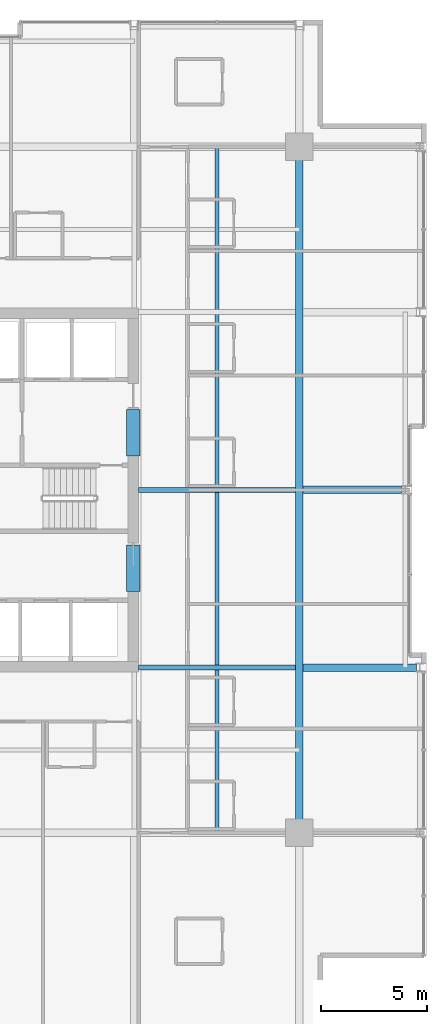
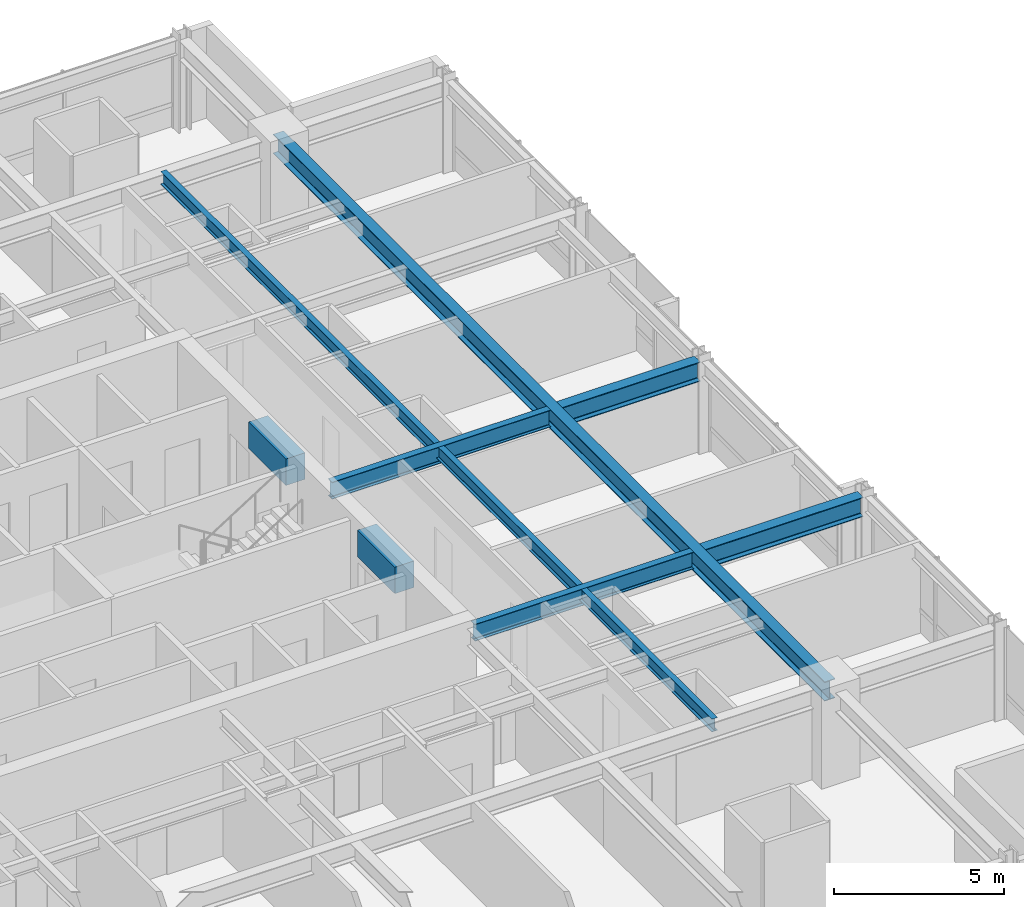
# One storey, part 14 of 32: 8 beams.
"""IFC4 building model written with IfcOpenShell, lengths in metres."""

from ifc_helpers import new_model, si_unit, direction, frame, origin, origin_2d, place, context, subcontext, project, spatial, rectangle, i_section, extrude, material, material_profile, profile_set, type_object, element, save


model = new_model("IFC4")

# Units and contexts
model_context = context("Model", 3, precision=1e-05, world=origin(), true_north=direction((0.0, 1.0)))
body_context = subcontext(model_context, "Body", "Model", "MODEL_VIEW")
ifc_project = project(units=[si_unit("LENGTHUNIT", "METRE"), si_unit("AREAUNIT", "SQUARE_METRE"), si_unit("VOLUMEUNIT", "CUBIC_METRE"), si_unit("PLANEANGLEUNIT", "RADIAN"), si_unit("MASSUNIT", "GRAM", prefix="KILO")], contexts=[model_context])

# Site, building, storey
site_placement = place(None, origin())
site = spatial("IfcSite", under=ifc_project, at=site_placement, CompositionType="ELEMENT")
building_placement = place(site_placement, origin())
building = spatial("IfcBuilding", under=site, at=building_placement, Name="Drelvath Grand Hotel", CompositionType="ELEMENT")
storey_placement = place(building_placement, frame((0.0, 0.0, 150.39990234375)))
storey = spatial("IfcBuildingStorey", under=building, at=storey_placement, Name="L38", CompositionType="ELEMENT", Elevation=150.39990234375)

# Beams
ifc_material_1 = material(Name="Steel ASTM A992 Gr 50", Category="steel")
ifc_material_profile_1 = material_profile(ifc_material_1, i_section(OverallWidth=0.19140625, OverallDepth=0.4599609375, WebThickness=0.010009765625, FlangeThickness=0.01611328125, FilletRadius=0.01611328125, at=origin_2d()), Name="W18X55")
ifc_profile_set_1 = profile_set([ifc_material_profile_1], Name="Steel ASTM A992 Gr 50")
beam_type_1 = type_object("IfcBeamType", Name="Composite Floor Joist W18X55", PredefinedType="JOIST", material=ifc_profile_set_1)
beam_1_placement = place(storey_placement, frame((12.300048828125, 10.800048828125, 3.06005859375), z_axis=(0.0, 1.0, 0.0), x_axis=(-1.0, 0.0, 0.0)))
element("IfcBeam", 1, at=beam_1_placement, inside=storey, type_object=beam_type_1, Name="L38 Wing Floor Joist J4", PredefinedType="JOIST", context=body_context, shape_type="SweptSolid", body=[
    extrude(i_section(OverallWidth=0.19140625, OverallDepth=0.4599609375, WebThickness=0.010009765625, FlangeThickness=0.01611328125, FilletRadius=0.01611328125, at=origin_2d()), origin(), (0.0, 0.0, 1.0), 32.39990234375),
])
ifc_material_2 = material(Name="Concrete f'c 55 MPa", Category="concrete")
ifc_material_profile_2 = material_profile(ifc_material_2, rectangle(XDim=0.64990234375, YDim=0.949951171875, at=origin_2d()), Name="CB650X950")
ifc_profile_set_2 = profile_set([ifc_material_profile_2], Name="Concrete f'c 55 MPa")
beam_type_2 = type_object("IfcBeamType", Name="Core Coupling Lintel CB650X950", PredefinedType="LINTEL", material=ifc_profile_set_2)
for number, where, z_axis, x_axis, name in (
    (2, (8.35009765625, 22.199951171875, 2.815185546875), (0.0, 1.0, 0.0), (-1.0, 0.0, 0.0), "L38 Core Coupling Lintel ES"),
    (3, (8.35009765625, 28.60009765625, 2.815185546875), (0.0, 1.0, 0.0), (-1.0, 0.0, 0.0), "L38 Core Coupling Lintel EN"),
):
    element("IfcBeam", number, at=place(storey_placement, frame(where, z_axis=z_axis, x_axis=x_axis)), inside=storey, type_object=beam_type_2, Name=name, PredefinedType="LINTEL", context=body_context, shape_type="SweptSolid", body=[
        extrude(rectangle(XDim=0.64990234375, YDim=0.949951171875, at=origin_2d()), origin(), (0.0, 0.0, 1.0), 2.199951171875),
    ])
ifc_material_profile_3 = material_profile(ifc_material_1, i_section(OverallWidth=0.228271484375, OverallDepth=0.607666015625, WebThickness=0.01123046875, FlangeThickness=0.017333984375, FilletRadius=0.02001953125, at=origin_2d()), Name="W24X76")
ifc_profile_set_3 = profile_set([ifc_material_profile_3], Name="Steel ASTM A992 Gr 50")
beam_type_3 = type_object("IfcBeamType", Name="Primary Floor Girder W24X76", PredefinedType="BEAM", material=ifc_profile_set_3)
for number, where, z_axis, x_axis, name in (
    (4, (8.60009765625, 18.60009765625, 2.986328125), (1.0, 0.0, 0.0), (0.0, 1.0, 0.0), "L38 East Core Tie D"),
    (5, (8.60009765625, 27.0, 2.986328125), (1.0, 0.0, 0.0), (0.0, 1.0, 0.0), "L38 East Core Tie E"),
):
    element("IfcBeam", number, at=place(storey_placement, frame(where, z_axis=z_axis, x_axis=x_axis)), inside=storey, type_object=beam_type_3, Name=name, PredefinedType="BEAM", context=body_context, shape_type="SweptSolid", body=[
        extrude(i_section(OverallWidth=0.228271484375, OverallDepth=0.607666015625, WebThickness=0.01123046875, FlangeThickness=0.017333984375, FilletRadius=0.02001953125, at=origin_2d()), origin(), (0.0, 0.0, 1.0), 7.422607421875),
    ])
ifc_material_profile_4 = material_profile(ifc_material_1, i_section(OverallWidth=0.354736328125, OverallDepth=0.695556640625, WebThickness=0.015380859375, FlangeThickness=0.025146484375, FilletRadius=0.02392578125, at=origin_2d()), Name="W27X146")
ifc_profile_set_4 = profile_set([ifc_material_profile_4], Name="Steel ASTM A992 Gr 50")
beam_type_4 = type_object("IfcBeamType", Name="Primary Floor Girder W27X146", PredefinedType="BEAM", material=ifc_profile_set_4)
beam_2_placement = place(storey_placement, frame((16.199951171875, 10.800048828125, 2.9423828125), z_axis=(0.0, 1.0, 0.0), x_axis=(-1.0, 0.0, 0.0)))
element("IfcBeam", 6, at=beam_2_placement, inside=storey, type_object=beam_type_4, Name="L38 Mega Ring Girder East", PredefinedType="BEAM", context=body_context, shape_type="SweptSolid", body=[
    extrude(i_section(OverallWidth=0.354736328125, OverallDepth=0.695556640625, WebThickness=0.015380859375, FlangeThickness=0.025146484375, FilletRadius=0.02392578125, at=origin_2d()), origin(), (0.0, 0.0, 1.0), 32.39990234375),
])
beam_3_placement = place(storey_placement, frame((16.37744140625, 18.60009765625, 2.9423828125), z_axis=(1.0, 0.0, 0.0), x_axis=(0.0, 1.0, 0.0)))
element("IfcBeam", 7, at=beam_3_placement, inside=storey, type_object=beam_type_4, Name="L38 East Wing Girder D", PredefinedType="BEAM", context=body_context, shape_type="SweptSolid", body=[
    extrude(i_section(OverallWidth=0.354736328125, OverallDepth=0.695556640625, WebThickness=0.015380859375, FlangeThickness=0.025146484375, FilletRadius=0.02392578125, at=origin_2d()), origin(), (0.0, 0.0, 1.0), 5.362548828125),
])
beam_4_placement = place(storey_placement, frame((16.37744140625, 27.0, 2.9423828125), z_axis=(1.0, 0.0, 0.0), x_axis=(0.0, 1.0, 0.0)))
element("IfcBeam", 8, at=beam_4_placement, inside=storey, type_object=beam_type_4, Name="L38 East Wing Girder E", PredefinedType="BEAM", context=body_context, shape_type="SweptSolid", body=[
    extrude(i_section(OverallWidth=0.354736328125, OverallDepth=0.695556640625, WebThickness=0.015380859375, FlangeThickness=0.025146484375, FilletRadius=0.02392578125, at=origin_2d()), origin(), (0.0, 0.0, 1.0), 4.6826171875),
])

save(model, "model.ifc")
